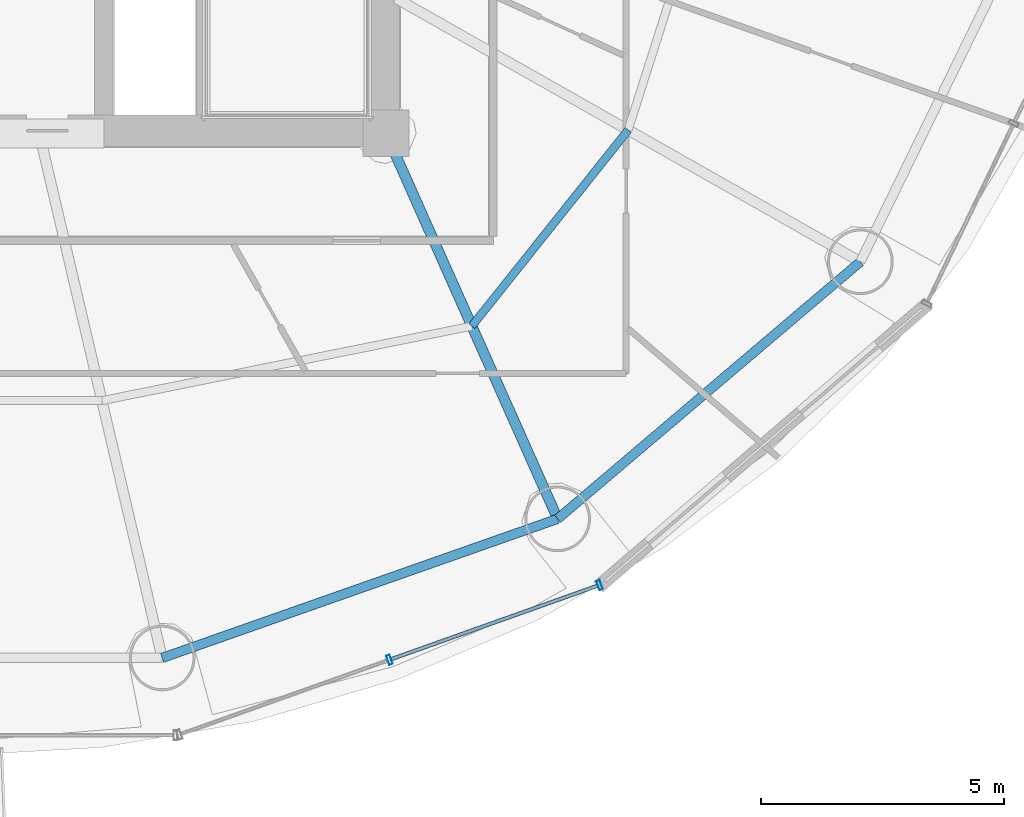
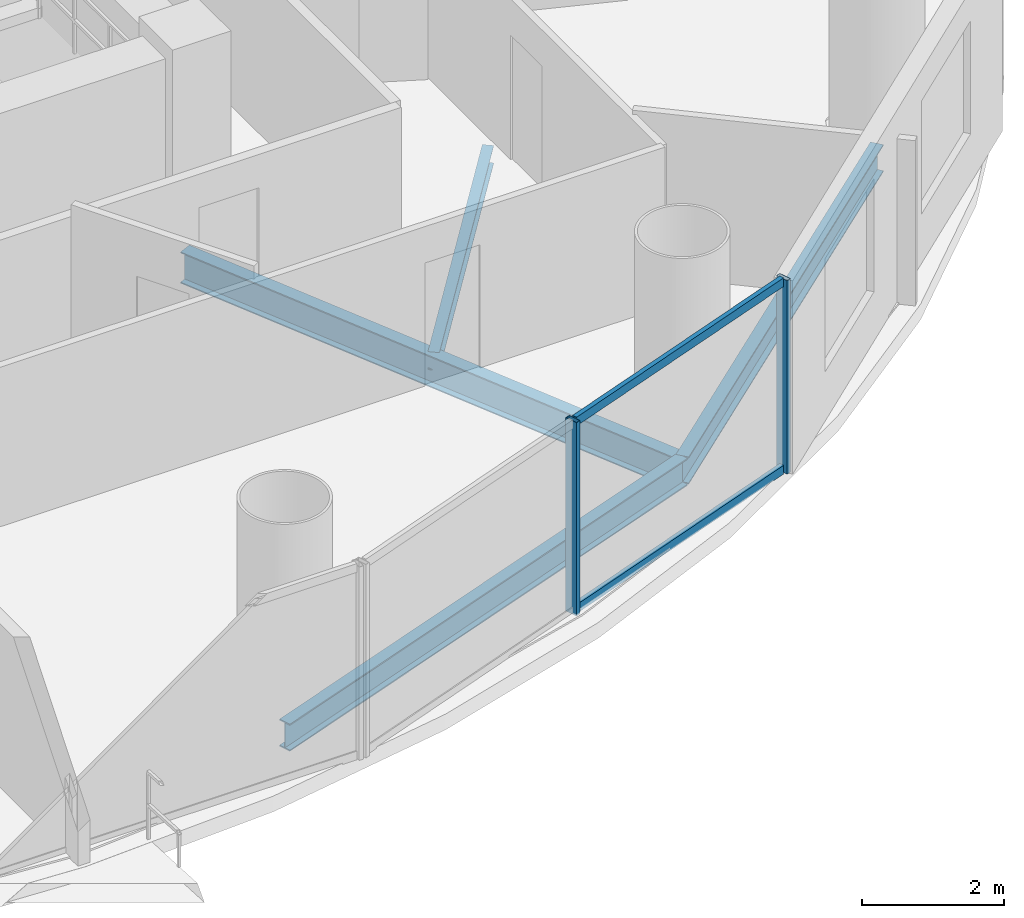
# One storey, part 9 of 26: 4 beams, 4 members, 1 element without a shape of its own.
"""IFC4 building model written with IfcOpenShell, lengths in metres."""

from ifc_helpers import new_model, si_unit, direction, frame, origin, origin_2d, place, context, subcontext, project, spatial, hollow_rectangle, i_section, extrude, source, transform, mapped, material, material_profile, profile_set, type_object, element, aggregate, save


model = new_model("IFC4")

# Units and contexts
model_context = context("Model", 3, precision=1e-05, world=origin(), true_north=direction((-0.2419218956, 0.970295726276)))
body_context = subcontext(model_context, "Body", "Model", "MODEL_VIEW")
ifc_project = project(units=[si_unit("LENGTHUNIT", "METRE"), si_unit("AREAUNIT", "SQUARE_METRE"), si_unit("VOLUMEUNIT", "CUBIC_METRE"), si_unit("PLANEANGLEUNIT", "RADIAN"), si_unit("MASSUNIT", "GRAM", prefix="KILO")], contexts=[model_context])

# Site, building, storey
site_placement = place(None, origin())
site = spatial("IfcSite", under=ifc_project, at=site_placement, CompositionType="ELEMENT")
building_placement = place(site_placement, origin())
building = spatial("IfcBuilding", under=site, at=building_placement, Name="Cobrevalo Terracotta Tower", CompositionType="ELEMENT")
storey_placement = place(building_placement, frame((0.0, 0.0, 175.0)))
storey = spatial("IfcBuildingStorey", under=building, at=storey_placement, Name="L46", CompositionType="ELEMENT", Elevation=175.0)

# Beams
ifc_material_1 = material(Name="Steel S355", Category="steel")
ifc_material_profile_1 = material_profile(ifc_material_1, i_section(OverallWidth=0.2109375, OverallDepth=0.5390625, WebThickness=0.01171875, FlangeThickness=0.018798828125, at=origin_2d()), Name="W 530x109")
ifc_profile_set_1 = profile_set([ifc_material_profile_1], Name="Steel S355")
beam_type_1 = type_object("IfcBeamType", Name="Structural Beam W 530x109 (Steel S355)", PredefinedType="BEAM", material=ifc_profile_set_1)
beam_1_placement = place(storey_placement, frame((50.528076171875, 10.87744140625, -0.53955078125), z_axis=(-0.406804395691, 0.913515289224, 0.0), x_axis=(-0.913515289224, -0.406804395691, 0.0)))
element("IfcBeam", 1, at=beam_1_placement, inside=storey, type_object=beam_type_1, Name="L46 radial floor girder 14", PredefinedType="BEAM", context=body_context, shape_type="SweptSolid", body=[
    extrude(i_section(OverallWidth=0.2109375, OverallDepth=0.5390625, WebThickness=0.01171875, FlangeThickness=0.018798828125, at=origin_2d()), origin(), (0.0, 0.0, 1.0), 8.672607421875),
])
ifc_material_profile_2 = material_profile(ifc_material_1, i_section(OverallWidth=0.1650390625, OverallDepth=0.31005859375, WebThickness=0.005859375, FlangeThickness=0.009765625, at=origin_2d()), Name="W 310x38.7")
ifc_profile_set_2 = profile_set([ifc_material_profile_2], Name="Steel S355")
beam_type_2 = type_object("IfcBeamType", Name="Structural Joist W 310x38.7 (Steel S355)", PredefinedType="JOIST", material=ifc_profile_set_2)
beam_2_placement = place(storey_placement, frame((48.76416015625, 14.838623046875, -0.425048828125), z_axis=(0.623382939397, 0.781916690492, 0.0), x_axis=(-0.781916690492, 0.623382939397, 0.0)))
element("IfcBeam", 2, at=beam_2_placement, inside=storey, type_object=beam_type_2, Name="L46 circumferential secondary floor joist 14", PredefinedType="JOIST", context=body_context, shape_type="SweptSolid", body=[
    extrude(i_section(OverallWidth=0.1650390625, OverallDepth=0.31005859375, WebThickness=0.005859375, FlangeThickness=0.009765625, at=origin_2d()), origin(), (0.0, 0.0, 1.0), 5.154296875),
])
ifc_material_profile_3 = material_profile(ifc_material_1, i_section(OverallWidth=0.194091796875, OverallDepth=0.468994140625, WebThickness=0.011474609375, FlangeThickness=0.0205078125, at=origin_2d()), Name="W 460x106")
ifc_profile_set_3 = profile_set([ifc_material_profile_3], Name="Steel S355")
beam_type_3 = type_object("IfcBeamType", Name="Structural Spandrel W 460x106 (Steel S355)", PredefinedType="SPANDREL", material=ifc_profile_set_3)
beam_3_placement = place(storey_placement, frame((42.399169921875, 8.01806640625, -0.50439453125), z_axis=(0.943341298492, 0.331824041565, 0.0), x_axis=(-0.331824041565, 0.943341298492, 0.0)))
element("IfcBeam", 3, at=beam_3_placement, inside=storey, type_object=beam_type_3, Name="L46 perimeter ring spandrel 13", PredefinedType="SPANDREL", context=body_context, shape_type="SweptSolid", body=[
    extrude(i_section(OverallWidth=0.194091796875, OverallDepth=0.468994140625, WebThickness=0.011474609375, FlangeThickness=0.0205078125, at=origin_2d()), origin(), (0.0, 0.0, 1.0), 8.6171875),
])
beam_4_placement = place(storey_placement, frame((50.528076171875, 10.87744140625, -0.50439453125), z_axis=(0.762240337798, 0.647294112003, 0.0), x_axis=(-0.647294112003, 0.762240337798, 0.0)))
element("IfcBeam", 4, at=beam_4_placement, inside=storey, type_object=beam_type_3, Name="L46 perimeter ring spandrel 14", PredefinedType="SPANDREL", context=body_context, shape_type="SweptSolid", body=[
    extrude(i_section(OverallWidth=0.194091796875, OverallDepth=0.468994140625, WebThickness=0.011474609375, FlangeThickness=0.0205078125, at=origin_2d()), origin(), (0.0, 0.0, 1.0), 8.162353515625),
])

# Curtain wall, members
ifc_material_2 = material(Name="Anodized aluminium", Category="aluminium")
curtain_wall_type = type_object("IfcCurtainWallType", Name="Mid-tower high-wind unitised curtain wall CW-U2", PredefinedType="NOTDEFINED", material=ifc_material_2)
curtain_wall_placement = place(storey_placement, origin())
curtain_wall = element("IfcCurtainWall", 5, at=curtain_wall_placement, inside=storey, type_object=curtain_wall_type, Name="L46 curtain wall CW-L46-S13", PredefinedType="NOTDEFINED")
ifc_material_profile_4 = material_profile(ifc_material_2, hollow_rectangle(XDim=0.074951171875, YDim=0.199951171875, WallThickness=0.0048828125, at=origin_2d()), Name="CWM 75x200")
ifc_profile_set_4 = profile_set([ifc_material_profile_4], Name="Anodized aluminium")
member_type_1 = type_object("IfcMemberType", Name="Lower/mid tower unitised mullion 75x200", PredefinedType="MULLION", material=ifc_profile_set_4)
shared_shape_1 = source(origin(), body_context, "Body", "SweptSolid", [
    extrude(hollow_rectangle(XDim=0.074951171875, YDim=0.199951171875, WallThickness=0.0048828125, at=origin_2d()), origin(), (0.0, 0.0, 1.0), 3.330078125),
])
member_1_placement = place(storey_placement, frame((47.07177734375, 7.979736328125, 0.0), z_axis=(0.0, 0.0, 1.0), x_axis=(0.942098428897, 0.335336473217, 0.0)))
member_1 = element("IfcMember", 6, at=member_1_placement, type_object=member_type_1, Name="CW-L46-S13 vertical mullion 02", PredefinedType="MULLION", context=body_context, shape_type="MappedRepresentation", body=[
    mapped(shared_shape_1, transform((0.0, 0.0, 0.0), scale=1.0)),
])
member_2_placement = place(storey_placement, frame((51.390380859375, 9.516845703125, 0.0), z_axis=(0.0, 0.0, 1.0), x_axis=(0.942098428897, 0.335336473217, 0.0)))
member_2 = element("IfcMember", 7, at=member_2_placement, type_object=member_type_1, Name="CW-L46-S13 vertical mullion 03", PredefinedType="MULLION", context=body_context, shape_type="MappedRepresentation", body=[
    mapped(shared_shape_1, transform((0.0, 0.0, 0.0), scale=1.0)),
])
ifc_material_profile_5 = material_profile(ifc_material_2, hollow_rectangle(XDim=0.074951171875, YDim=0.14990234375, WallThickness=0.00439453125, at=origin_2d()), Name="CWT 75x150")
ifc_profile_set_5 = profile_set([ifc_material_profile_5], Name="Anodized aluminium")
member_type_2 = type_object("IfcMemberType", Name="Tower unitised aluminium transom 75x150", PredefinedType="USERDEFINED", material=ifc_profile_set_5)
shared_shape_2 = source(origin(), body_context, "Body", "SweptSolid", [
    extrude(hollow_rectangle(XDim=0.074951171875, YDim=0.14990234375, WallThickness=0.00439453125, at=origin_2d()), origin(), (0.0, 0.0, 1.0), 4.504150390625),
])
member_3_placement = place(storey_placement, frame((47.109375, 7.9931640625, 0.050048828125), z_axis=(0.942093344241, 0.335350757771, 0.0), x_axis=(-0.335350757771, 0.942093344241, 0.0)))
member_3 = element("IfcMember", 8, at=member_3_placement, type_object=member_type_2, Name="CW-L46-S13 transom B02-T1", ObjectType="TRANSOM", PredefinedType="USERDEFINED", context=body_context, shape_type="MappedRepresentation", body=[
    mapped(shared_shape_2, transform((0.0, 0.0, 0.0), scale=1.0)),
])
member_4_placement = place(storey_placement, frame((47.109375, 7.9931640625, 3.280029296875), z_axis=(0.942093344241, 0.335350757771, 0.0), x_axis=(-0.335350757771, 0.942093344241, 0.0)))
member_4 = element("IfcMember", 9, at=member_4_placement, type_object=member_type_2, Name="CW-L46-S13 transom B02-T2", ObjectType="TRANSOM", PredefinedType="USERDEFINED", context=body_context, shape_type="MappedRepresentation", body=[
    mapped(shared_shape_2, transform((0.0, 0.0, 0.0), scale=1.0)),
])
aggregate(curtain_wall, [member_1, member_2, member_3, member_4])

save(model, "model.ifc")
